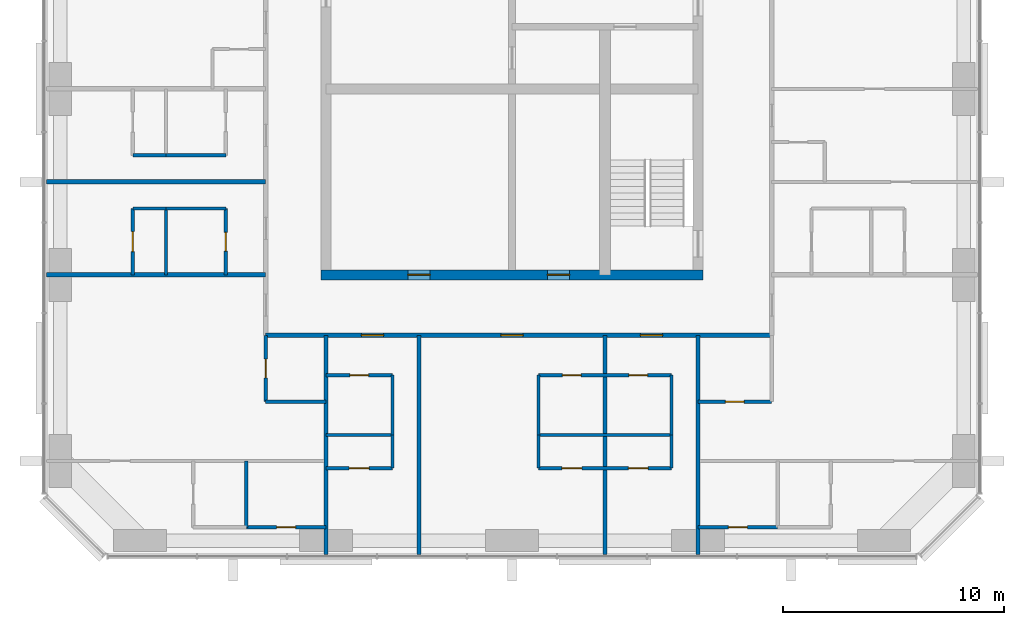
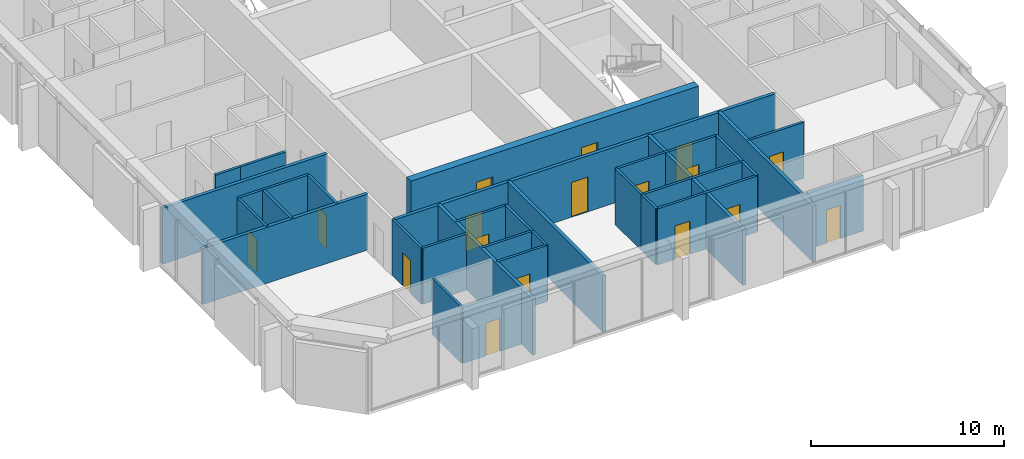
# One storey, part 7 of 12: 33 walls, 17 doors, 17 openings.
"""IFC4 building model written with IfcOpenShell, lengths in metres."""

from ifc_helpers import new_model, si_unit, direction, frame, frame_2d, origin, place, context, subcontext, project, spatial, rectangle, extrude, material, layer, layer_set, type_object, element, fill, save


model = new_model("IFC4")

# Units and contexts
model_context = context("Model", 3, precision=1e-05, world=origin(), true_north=direction((0.0, 1.0)))
body_context = subcontext(model_context, "Body", "Model", "MODEL_VIEW")
ifc_project = project(units=[si_unit("LENGTHUNIT", "METRE"), si_unit("AREAUNIT", "SQUARE_METRE"), si_unit("VOLUMEUNIT", "CUBIC_METRE"), si_unit("PLANEANGLEUNIT", "RADIAN"), si_unit("MASSUNIT", "GRAM", prefix="KILO")], contexts=[model_context])

# Site, building, storey
site_placement = place(None, origin())
site = spatial("IfcSite", under=ifc_project, at=site_placement, CompositionType="ELEMENT")
building_placement = place(site_placement, origin())
building = spatial("IfcBuilding", under=site, at=building_placement, Name="Dunama Terrace Hotel", CompositionType="ELEMENT")
storey_placement = place(building_placement, frame((0.0, 0.0, 264.60009765625)))
storey = spatial("IfcBuildingStorey", under=building, at=storey_placement, Name="L68", CompositionType="ELEMENT", Elevation=264.60009765625)

# Wall, opening, door
ifc_material_1 = material(Name="Gypsum board partition", Category="masonry")
ifc_layer_1 = layer(ifc_material_1, 0.14990234375)
ifc_layer_set_1 = layer_set([ifc_layer_1], Name="Bathroom partition 150")
wall_type_1 = type_object("IfcWallType", Name="Bathroom partition 150", PredefinedType="PARTITIONING", material=ifc_layer_set_1)
wall_1_placement = place(storey_placement, frame((20.675048828125, 16.800048828125, 0.0), z_axis=(0.0, 0.0, 1.0), x_axis=(0.0, 1.0, 0.0)))
wall_1 = element("IfcWall", 1, at=wall_1_placement, inside=storey, type_object=wall_type_1, Name="Bathroom partition 150 L68", PredefinedType="PARTITIONING", context=body_context, shape_type="SweptSolid", body=[
    extrude(rectangle(XDim=3.0, YDim=0.14990234375, at=frame_2d((1.5, 0.0))), origin(), (0.0, 0.0, 1.0), 3.5498046875),
])
opening_1_placement = place(wall_1_placement, frame((1.074951171875, 0.0, 0.0)))
opening_1 = element("IfcOpeningElement", 2, at=opening_1_placement, cuts=wall_1, Name="Opening L68-70-038", PredefinedType="OPENING", context=body_context, shape_type="SweptSolid", body=[
    extrude(rectangle(XDim=0.85009765625, YDim=2.10009765625, at=frame_2d((0.425048828125, 1.050048828125))), frame((0.0, 0.0849609375, 0.0), z_axis=(0.0, -1.0, 0.0), x_axis=(1.0, 0.0, 0.0)), (0.0, 0.0, 1.0), 0.169921875),
])
ifc_material_2 = material(Name="Timber door with steel frame", Category="steel")
door_type_1 = type_object("IfcDoorType", Name="Bathroom door 850", OperationType="SINGLE_SWING_LEFT", PredefinedType="DOOR", material=ifc_material_2)
door_1_placement = place(opening_1_placement, origin())
door_1 = element("IfcDoor", 3, at=door_1_placement, inside=storey, type_object=door_type_1, Name="Door to en-suite bathroom L68-70-038, type D2", OperationType="SINGLE_SWING_LEFT", OverallHeight=2.10009765625, OverallWidth=0.85009765625, PredefinedType="DOOR", context=body_context, shape_type="SweptSolid", body=[
    extrude(rectangle(XDim=0.85009765625, YDim=2.10009765625, at=frame_2d((0.425048828125, 1.050048828125))), frame((0.0, 0.02490234375, 0.0), z_axis=(0.0, -1.0, 0.0), x_axis=(1.0, 0.0, 0.0)), (0.0, 0.0, 1.0), 0.050048828125),
])
fill(opening_1, door_1)

wall_2_placement = place(storey_placement, frame((22.47509765625, 11.074951171875, 0.0), z_axis=(0.0, 0.0, 1.0), x_axis=(0.0, 1.0, 0.0)))
wall_2 = element("IfcWall", 4, at=wall_2_placement, inside=storey, type_object=wall_type_1, Name="Bathroom partition 150 L68", PredefinedType="PARTITIONING", context=body_context, shape_type="SweptSolid", body=[
    extrude(rectangle(XDim=3.0, YDim=0.14990234375, at=frame_2d((1.5, 0.0))), origin(), (0.0, 0.0, 1.0), 3.5498046875),
])
opening_2_placement = place(wall_2_placement, frame((1.074951171875, 0.0, 0.0)))
opening_2 = element("IfcOpeningElement", 5, at=opening_2_placement, cuts=wall_2, Name="Opening L68-70-053", PredefinedType="OPENING", context=body_context, shape_type="SweptSolid", body=[
    extrude(rectangle(XDim=0.85009765625, YDim=2.10009765625, at=frame_2d((0.425048828125, 1.050048828125))), frame((0.0, 0.0849609375, 0.0), z_axis=(0.0, -1.0, 0.0), x_axis=(1.0, 0.0, 0.0)), (0.0, 0.0, 1.0), 0.169921875),
])
door_2_placement = place(opening_2_placement, frame((0.85009765625, 0.0, 0.0), z_axis=(0.0, 0.0, 1.0), x_axis=(-1.0, 0.0, 0.0)))
door_2 = element("IfcDoor", 6, at=door_2_placement, inside=storey, type_object=door_type_1, Name="Door to powder room L68-70-053, type D2", OperationType="SINGLE_SWING_LEFT", OverallHeight=2.10009765625, OverallWidth=0.85009765625, PredefinedType="DOOR", context=body_context, shape_type="SweptSolid", body=[
    extrude(rectangle(XDim=0.85009765625, YDim=2.10009765625, at=frame_2d((0.425048828125, 1.050048828125))), frame((0.0, 0.025146484375, 0.0), z_axis=(0.0, -1.0, 0.0), x_axis=(1.0, 0.0, 0.0)), (0.0, 0.0, 1.0), 0.050048828125),
])
fill(opening_2, door_2)

# Walls
for number, where, z_axis, x_axis, name in (
    (7, (28.199951171875, 9.574951171875, 0.0), (0.0, 0.0, 1.0), (0.0, 1.0, 0.0), "Bathroom partition 150 L68"),
    (8, (34.800048828125, 9.574951171875, 0.0), (0.0, 0.0, 1.0), (0.0, 1.0, 0.0), "Bathroom partition 150 L68"),
    (9, (40.800048828125, 9.574951171875, 0.0), (0.0, 0.0, 1.0), (0.0, 1.0, 0.0), "Bathroom partition 150 L68"),
):
    element("IfcWall", number, at=place(storey_placement, frame(where, z_axis=z_axis, x_axis=x_axis)), inside=storey, type_object=wall_type_1, Name=name, PredefinedType="PARTITIONING", context=body_context, shape_type="SweptSolid", body=[
        extrude(rectangle(XDim=2.699951171875, YDim=0.14990234375, at=frame_2d((1.35009765625, 0.0))), origin(), (0.0, 0.0, 1.0), 3.5498046875),
    ])

# Wall, opening, door
wall_3_placement = place(storey_placement, frame((21.60009765625, 5.39990234375, 0.0), z_axis=(0.0, 0.0, 1.0), x_axis=(1.0, 0.0, 0.0)))
wall_3 = element("IfcWall", 10, at=wall_3_placement, inside=storey, type_object=wall_type_1, Name="Bathroom partition 150 L68", PredefinedType="PARTITIONING", context=body_context, shape_type="SweptSolid", body=[
    extrude(rectangle(XDim=3.599853515625, YDim=0.14990234375, at=frame_2d((1.7998046875, 0.0))), origin(), (0.0, 0.0, 1.0), 3.5498046875),
])
opening_3_placement = place(wall_3_placement, frame((1.375, 0.0, 0.0)))
opening_3 = element("IfcOpeningElement", 11, at=opening_3_placement, cuts=wall_3, Name="Opening L68-70-055", PredefinedType="OPENING", context=body_context, shape_type="SweptSolid", body=[
    extrude(rectangle(XDim=0.85009765625, YDim=2.10009765625, at=frame_2d((0.425048828125, 1.050048828125))), frame((0.0, 0.0849609375, 0.0), z_axis=(0.0, -1.0, 0.0), x_axis=(1.0, 0.0, 0.0)), (0.0, 0.0, 1.0), 0.169921875),
])
door_3_placement = place(opening_3_placement, origin())
door_3 = element("IfcDoor", 12, at=door_3_placement, inside=storey, type_object=door_type_1, Name="Door to en-suite bathroom L68-70-055, type D2", OperationType="SINGLE_SWING_RIGHT", OverallHeight=2.10009765625, OverallWidth=0.85009765625, PredefinedType="DOOR", context=body_context, shape_type="SweptSolid", body=[
    extrude(rectangle(XDim=0.85009765625, YDim=2.10009765625, at=frame_2d((0.425048828125, 1.050048828125))), frame((0.0, 0.02490234375, 0.0), z_axis=(0.0, -1.0, 0.0), x_axis=(1.0, 0.0, 0.0)), (0.0, 0.0, 1.0), 0.050048828125),
])
fill(opening_3, door_3)

wall_4_placement = place(storey_placement, frame((42.0, 5.39990234375, 0.0), z_axis=(0.0, 0.0, 1.0), x_axis=(1.0, 0.0, 0.0)))
wall_4 = element("IfcWall", 13, at=wall_4_placement, inside=storey, type_object=wall_type_1, Name="Bathroom partition 150 L68", PredefinedType="PARTITIONING", context=body_context, shape_type="SweptSolid", body=[
    extrude(rectangle(XDim=3.60009765625, YDim=0.14990234375, at=frame_2d((1.800048828125, 0.0))), origin(), (0.0, 0.0, 1.0), 3.5498046875),
])
opening_4_placement = place(wall_4_placement, frame((1.375, 0.0, 0.0)))
opening_4 = element("IfcOpeningElement", 14, at=opening_4_placement, cuts=wall_4, Name="Opening L68-70-060", PredefinedType="OPENING", context=body_context, shape_type="SweptSolid", body=[
    extrude(rectangle(XDim=0.85009765625, YDim=2.10009765625, at=frame_2d((0.425048828125, 1.050048828125))), frame((0.0, 0.0849609375, 0.0), z_axis=(0.0, -1.0, 0.0), x_axis=(1.0, 0.0, 0.0)), (0.0, 0.0, 1.0), 0.169921875),
])
door_4_placement = place(opening_4_placement, origin())
door_4 = element("IfcDoor", 15, at=door_4_placement, inside=storey, type_object=door_type_1, Name="Door to en-suite bathroom L68-70-060, type D2", OperationType="SINGLE_SWING_LEFT", OverallHeight=2.10009765625, OverallWidth=0.85009765625, PredefinedType="DOOR", context=body_context, shape_type="SweptSolid", body=[
    extrude(rectangle(XDim=0.85009765625, YDim=2.10009765625, at=frame_2d((0.425048828125, 1.050048828125))), frame((0.0, 0.02490234375, 0.0), z_axis=(0.0, -1.0, 0.0), x_axis=(1.0, 0.0, 0.0)), (0.0, 0.0, 1.0), 0.050048828125),
])
fill(opening_4, door_4)

# Wall
wall_5_placement = place(storey_placement, frame((22.47509765625, 11.074951171875, 0.0), z_axis=(0.0, 0.0, 1.0), x_axis=(1.0, 0.0, 0.0)))
element("IfcWall", 16, at=wall_5_placement, inside=storey, type_object=wall_type_1, Name="Bathroom partition 150 L68", PredefinedType="PARTITIONING", context=body_context, shape_type="SweptSolid", body=[
    extrude(rectangle(XDim=2.724853515625, YDim=0.14990234375, at=frame_2d((1.3623046875, 0.0))), origin(), (0.0, 0.0, 1.0), 3.5498046875),
])

# Wall, opening, door
wall_6_placement = place(storey_placement, frame((42.0, 11.074951171875, 0.0), z_axis=(0.0, 0.0, 1.0), x_axis=(1.0, 0.0, 0.0)))
wall_6 = element("IfcWall", 17, at=wall_6_placement, inside=storey, type_object=wall_type_1, Name="Bathroom partition 150 L68", PredefinedType="PARTITIONING", context=body_context, shape_type="SweptSolid", body=[
    extrude(rectangle(XDim=3.324951171875, YDim=0.14990234375, at=frame_2d((1.66259765625, 0.0))), origin(), (0.0, 0.0, 1.0), 3.5498046875),
])
opening_5_placement = place(wall_6_placement, frame((1.238037109375, 0.0, 0.0)))
opening_5 = element("IfcOpeningElement", 18, at=opening_5_placement, cuts=wall_6, Name="Opening L68-70-058", PredefinedType="OPENING", context=body_context, shape_type="SweptSolid", body=[
    extrude(rectangle(XDim=0.85009765625, YDim=2.10009765625, at=frame_2d((0.425048828125, 1.050048828125))), frame((0.0, 0.0849609375, 0.0), z_axis=(0.0, -1.0, 0.0), x_axis=(1.0, 0.0, 0.0)), (0.0, 0.0, 1.0), 0.169921875),
])
door_5_placement = place(opening_5_placement, origin())
door_5 = element("IfcDoor", 19, at=door_5_placement, inside=storey, type_object=door_type_1, Name="Door to powder room L68-70-058, type D2", OperationType="SINGLE_SWING_LEFT", OverallHeight=2.10009765625, OverallWidth=0.85009765625, PredefinedType="DOOR", context=body_context, shape_type="SweptSolid", body=[
    extrude(rectangle(XDim=0.85009765625, YDim=2.10009765625, at=frame_2d((0.425048828125, 1.050048828125))), frame((0.0, 0.02490234375, 0.0), z_axis=(0.0, -1.0, 0.0), x_axis=(1.0, 0.0, 0.0)), (0.0, 0.0, 1.0), 0.050048828125),
])
fill(opening_5, door_5)

wall_7_placement = place(storey_placement, frame((25.199951171875, 12.27490234375, 0.0), z_axis=(0.0, 0.0, 1.0), x_axis=(1.0, 0.0, 0.0)))
wall_7 = element("IfcWall", 20, at=wall_7_placement, inside=storey, type_object=wall_type_1, Name="Bathroom partition 150 L68", PredefinedType="PARTITIONING", context=body_context, shape_type="SweptSolid", body=[
    extrude(rectangle(XDim=3.0, YDim=0.14990234375, at=frame_2d((1.5, 0.0))), origin(), (0.0, 0.0, 1.0), 3.5498046875),
])
opening_6_placement = place(wall_7_placement, frame((1.074951171875, 0.0, 0.0)))
opening_6 = element("IfcOpeningElement", 21, at=opening_6_placement, cuts=wall_7, Name="Opening L68-70-008", PredefinedType="OPENING", context=body_context, shape_type="SweptSolid", body=[
    extrude(rectangle(XDim=0.85009765625, YDim=2.10009765625, at=frame_2d((0.425048828125, 1.050048828125))), frame((0.0, 0.0849609375, 0.0), z_axis=(0.0, -1.0, 0.0), x_axis=(1.0, 0.0, 0.0)), (0.0, 0.0, 1.0), 0.169921875),
])
door_6_placement = place(opening_6_placement, frame((0.85009765625, 0.0, 0.0), z_axis=(0.0, 0.0, 1.0), x_axis=(-1.0, 0.0, 0.0)))
door_6 = element("IfcDoor", 22, at=door_6_placement, inside=storey, type_object=door_type_1, Name="Door to en-suite bathroom L68-70-008, type D2", OperationType="SINGLE_SWING_RIGHT", OverallHeight=2.10009765625, OverallWidth=0.85009765625, PredefinedType="DOOR", context=body_context, shape_type="SweptSolid", body=[
    extrude(rectangle(XDim=0.85009765625, YDim=2.10009765625, at=frame_2d((0.425048828125, 1.050048828125))), frame((0.0, 0.025146484375, 0.0), z_axis=(0.0, -1.0, 0.0), x_axis=(1.0, 0.0, 0.0)), (0.0, 0.0, 1.0), 0.050048828125),
])
fill(opening_6, door_6)

# Wall, openings, doors
wall_8_placement = place(storey_placement, frame((34.800048828125, 12.27490234375, 0.0), z_axis=(0.0, 0.0, 1.0), x_axis=(1.0, 0.0, 0.0)))
wall_8 = element("IfcWall", 23, at=wall_8_placement, inside=storey, type_object=wall_type_1, Name="Bathroom partition 150 L68", PredefinedType="PARTITIONING", context=body_context, shape_type="SweptSolid", body=[
    extrude(rectangle(XDim=6.0, YDim=0.14990234375, at=frame_2d((3.0, 0.0))), origin(), (0.0, 0.0, 1.0), 3.5498046875),
])
opening_7_placement = place(wall_8_placement, frame((1.074951171875, 0.0, 0.0)))
opening_7 = element("IfcOpeningElement", 24, at=opening_7_placement, cuts=wall_8, Name="Opening L68-70-011", PredefinedType="OPENING", context=body_context, shape_type="SweptSolid", body=[
    extrude(rectangle(XDim=0.85009765625, YDim=2.10009765625, at=frame_2d((0.425048828125, 1.050048828125))), frame((0.0, 0.0849609375, 0.0), z_axis=(0.0, -1.0, 0.0), x_axis=(1.0, 0.0, 0.0)), (0.0, 0.0, 1.0), 0.169921875),
])
opening_8_placement = place(wall_8_placement, frame((4.074951171875, 0.0, 0.0)))
opening_8 = element("IfcOpeningElement", 25, at=opening_8_placement, cuts=wall_8, Name="Opening L68-70-014", PredefinedType="OPENING", context=body_context, shape_type="SweptSolid", body=[
    extrude(rectangle(XDim=0.85009765625, YDim=2.10009765625, at=frame_2d((0.425048828125, 1.050048828125))), frame((0.0, 0.0849609375, 0.0), z_axis=(0.0, -1.0, 0.0), x_axis=(1.0, 0.0, 0.0)), (0.0, 0.0, 1.0), 0.169921875),
])
door_7_placement = place(opening_7_placement, frame((0.85009765625, 0.0, 0.0), z_axis=(0.0, 0.0, 1.0), x_axis=(-1.0, 0.0, 0.0)))
door_7 = element("IfcDoor", 26, at=door_7_placement, inside=storey, type_object=door_type_1, Name="Door to en-suite bathroom L68-70-011, type D2", OperationType="SINGLE_SWING_LEFT", OverallHeight=2.10009765625, OverallWidth=0.85009765625, PredefinedType="DOOR", context=body_context, shape_type="SweptSolid", body=[
    extrude(rectangle(XDim=0.85009765625, YDim=2.10009765625, at=frame_2d((0.425048828125, 1.050048828125))), frame((0.0, 0.025146484375, 0.0), z_axis=(0.0, -1.0, 0.0), x_axis=(1.0, 0.0, 0.0)), (0.0, 0.0, 1.0), 0.050048828125),
])
fill(opening_7, door_7)
door_8_placement = place(opening_8_placement, frame((0.85009765625, 0.0, 0.0), z_axis=(0.0, 0.0, 1.0), x_axis=(-1.0, 0.0, 0.0)))
door_8 = element("IfcDoor", 27, at=door_8_placement, inside=storey, type_object=door_type_1, Name="Door to en-suite bathroom L68-70-014, type D2", OperationType="SINGLE_SWING_RIGHT", OverallHeight=2.10009765625, OverallWidth=0.85009765625, PredefinedType="DOOR", context=body_context, shape_type="SweptSolid", body=[
    extrude(rectangle(XDim=0.85009765625, YDim=2.10009765625, at=frame_2d((0.425048828125, 1.050048828125))), frame((0.0, 0.025146484375, 0.0), z_axis=(0.0, -1.0, 0.0), x_axis=(1.0, 0.0, 0.0)), (0.0, 0.0, 1.0), 0.050048828125),
])
fill(opening_8, door_8)

# Walls
for number, where, z_axis, x_axis, name in (
    (28, (17.97509765625, 19.800048828125, 0.0), (0.0, 0.0, 1.0), (1.0, 0.0, 0.0), "Bathroom partition 150 L68"),
    (29, (17.97509765625, 22.199951171875, 0.0), (0.0, 0.0, 1.0), (1.0, 0.0, 0.0), "Bathroom partition 150 L68"),
):
    element("IfcWall", number, at=place(storey_placement, frame(where, z_axis=z_axis, x_axis=x_axis)), inside=storey, type_object=wall_type_1, Name=name, PredefinedType="PARTITIONING", context=body_context, shape_type="SweptSolid", body=[
        extrude(rectangle(XDim=2.699951171875, YDim=0.14990234375, at=frame_2d((1.35009765625, 0.0))), origin(), (0.0, 0.0, 1.0), 3.5498046875),
    ])

# Wall, openings, doors
ifc_material_3 = material(Name="Concrete C50/60", Category="concrete")
ifc_layer_2 = layer(ifc_material_3, 0.449951171875)
ifc_layer_set_2 = layer_set([ifc_layer_2], Name="Core wall 450")
wall_type_2 = type_object("IfcWallType", Name="Core wall 450", PredefinedType="SHEAR", material=ifc_layer_set_2)
wall_9_placement = place(storey_placement, frame((24.97509765625, 16.800048828125, -0.35009765625), z_axis=(0.0, 0.0, 1.0), x_axis=(1.0, 0.0, 0.0)))
wall_9 = element("IfcWall", 30, at=wall_9_placement, inside=storey, type_object=wall_type_2, Name="Core wall south L68", PredefinedType="SHEAR", context=body_context, shape_type="SweptSolid", body=[
    extrude(rectangle(XDim=17.25, YDim=0.449951171875, at=frame_2d((8.625, 0.0))), origin(), (0.0, 0.0, 1.0), 3.89990234375),
])
opening_9_placement = place(wall_9_placement, frame((3.925048828125, 0.0, 0.35009765625)))
opening_9 = element("IfcOpeningElement", 31, at=opening_9_placement, cuts=wall_9, Name="Opening L68-70-078", PredefinedType="OPENING", context=body_context, shape_type="SweptSolid", body=[
    extrude(rectangle(XDim=1.0, YDim=2.10009765625, at=frame_2d((0.5, 1.050048828125))), frame((0.0, 0.23486328125, 0.0), z_axis=(0.0, -1.0, 0.0), x_axis=(1.0, 0.0, 0.0)), (0.0, 0.0, 1.0), 0.469970703125),
])
opening_10_placement = place(wall_9_placement, frame((10.22509765625, 0.0, 0.35009765625)))
opening_10 = element("IfcOpeningElement", 32, at=opening_10_placement, cuts=wall_9, Name="Opening L68-70-079", PredefinedType="OPENING", context=body_context, shape_type="SweptSolid", body=[
    extrude(rectangle(XDim=1.0, YDim=2.10009765625, at=frame_2d((0.5, 1.050048828125))), frame((0.0, 0.23486328125, 0.0), z_axis=(0.0, -1.0, 0.0), x_axis=(1.0, 0.0, 0.0)), (0.0, 0.0, 1.0), 0.469970703125),
])
ifc_material_4 = material(Name="Timber door with steel frame", Category="steel")
door_type_2 = type_object("IfcDoorType", Name="Service door 1000", OperationType="SINGLE_SWING_LEFT", PredefinedType="DOOR", material=ifc_material_4)
door_9_placement = place(opening_9_placement, origin())
door_9 = element("IfcDoor", 33, at=door_9_placement, inside=storey, type_object=door_type_2, Name="Door to corridor air handling room L68-70-078, type D7", OperationType="SINGLE_SWING_LEFT", OverallHeight=2.10009765625, OverallWidth=1.0, PredefinedType="DOOR", context=body_context, shape_type="SweptSolid", body=[
    extrude(rectangle(XDim=1.0, YDim=2.10009765625, at=frame_2d((0.5, 1.050048828125))), frame((0.0, 0.02490234375, 0.0), z_axis=(0.0, -1.0, 0.0), x_axis=(1.0, 0.0, 0.0)), (0.0, 0.0, 1.0), 0.050048828125),
])
fill(opening_9, door_9)
door_10_placement = place(opening_10_placement, origin())
door_10 = element("IfcDoor", 34, at=door_10_placement, inside=storey, type_object=door_type_2, Name="Door to water riser room L68-70-079, type D7", OperationType="SINGLE_SWING_RIGHT", OverallHeight=2.10009765625, OverallWidth=1.0, PredefinedType="DOOR", context=body_context, shape_type="SweptSolid", body=[
    extrude(rectangle(XDim=1.0, YDim=2.10009765625, at=frame_2d((0.5, 1.050048828125))), frame((0.0, 0.02490234375, 0.0), z_axis=(0.0, -1.0, 0.0), x_axis=(1.0, 0.0, 0.0)), (0.0, 0.0, 1.0), 0.050048828125),
])
fill(opening_10, door_10)

ifc_material_5 = material(Name="Concrete blockwork", Category="masonry")
ifc_layer_3 = layer(ifc_material_5, 0.199951171875)
ifc_layer_set_3 = layer_set([ifc_layer_3], Name="Corridor partition 200")
wall_type_3 = type_object("IfcWallType", Name="Corridor partition 200", PredefinedType="PARTITIONING", material=ifc_layer_set_3)
wall_10_placement = place(storey_placement, frame((45.324951171875, 14.074951171875, 0.0), z_axis=(0.0, 0.0, 1.0), x_axis=(-1.0, 0.0, 0.0)))
wall_10 = element("IfcWall", 35, at=wall_10_placement, inside=storey, type_object=wall_type_3, Name="Corridor partition 200 L68", PredefinedType="PARTITIONING", context=body_context, shape_type="SweptSolid", body=[
    extrude(rectangle(XDim=22.849853515625, YDim=0.199951171875, at=frame_2d((11.4248046875, 0.0))), origin(), (0.0, 0.0, 1.0), 3.5498046875),
])
opening_11_placement = place(wall_10_placement, frame((17.52490234375, 0.0, 0.0)))
opening_11 = element("IfcOpeningElement", 36, at=opening_11_placement, cuts=wall_10, Name="Opening L68-70-007", PredefinedType="OPENING", context=body_context, shape_type="SweptSolid", body=[
    extrude(rectangle(XDim=1.0, YDim=2.199951171875, at=frame_2d((0.5, 1.10009765625))), frame((0.0, 0.10986328125, 0.0), z_axis=(0.0, -1.0, 0.0), x_axis=(1.0, 0.0, 0.0)), (0.0, 0.0, 1.0), 0.219970703125),
])
opening_12_placement = place(wall_10_placement, frame((11.22509765625, 0.0, 0.0)))
opening_12 = element("IfcOpeningElement", 37, at=opening_12_placement, cuts=wall_10, Name="Opening L68-70-010", PredefinedType="OPENING", context=body_context, shape_type="SweptSolid", body=[
    extrude(rectangle(XDim=1.0, YDim=2.199951171875, at=frame_2d((0.5, 1.10009765625))), frame((0.0, 0.10986328125, 0.0), z_axis=(0.0, -1.0, 0.0), x_axis=(1.0, 0.0, 0.0)), (0.0, 0.0, 1.0), 0.219970703125),
])
opening_13_placement = place(wall_10_placement, frame((4.925048828125, 0.0, 0.0)))
opening_13 = element("IfcOpeningElement", 38, at=opening_13_placement, cuts=wall_10, Name="Opening L68-70-013", PredefinedType="OPENING", context=body_context, shape_type="SweptSolid", body=[
    extrude(rectangle(XDim=1.0, YDim=2.199951171875, at=frame_2d((0.5, 1.10009765625))), frame((0.0, 0.10986328125, 0.0), z_axis=(0.0, -1.0, 0.0), x_axis=(1.0, 0.0, 0.0)), (0.0, 0.0, 1.0), 0.219970703125),
])
ifc_material_6 = material(Name="Timber door with steel frame", Category="steel")
door_type_3 = type_object("IfcDoorType", Name="Guest room door 1000", OperationType="SINGLE_SWING_LEFT", PredefinedType="DOOR", material=ifc_material_6)
door_11_placement = place(opening_11_placement, origin())
door_11 = element("IfcDoor", 39, at=door_11_placement, inside=storey, type_object=door_type_3, Name="Door to studio suite L68-70-007, type D1", OperationType="SINGLE_SWING_LEFT", OverallHeight=2.199951171875, OverallWidth=1.0, PredefinedType="DOOR", context=body_context, shape_type="SweptSolid", body=[
    extrude(rectangle(XDim=1.0, YDim=2.199951171875, at=frame_2d((0.5, 1.10009765625))), frame((0.0, 0.02490234375, 0.0), z_axis=(0.0, -1.0, 0.0), x_axis=(1.0, 0.0, 0.0)), (0.0, 0.0, 1.0), 0.050048828125),
])
fill(opening_11, door_11)
door_12_placement = place(opening_12_placement, origin())
door_12 = element("IfcDoor", 40, at=door_12_placement, inside=storey, type_object=door_type_3, Name="Door to junior suite L68-70-010, type D1", OperationType="SINGLE_SWING_LEFT", OverallHeight=2.199951171875, OverallWidth=1.0, PredefinedType="DOOR", context=body_context, shape_type="SweptSolid", body=[
    extrude(rectangle(XDim=1.0, YDim=2.199951171875, at=frame_2d((0.5, 1.10009765625))), frame((0.0, 0.02490234375, 0.0), z_axis=(0.0, -1.0, 0.0), x_axis=(1.0, 0.0, 0.0)), (0.0, 0.0, 1.0), 0.050048828125),
])
fill(opening_12, door_12)
door_13_placement = place(opening_13_placement, origin())
door_13 = element("IfcDoor", 41, at=door_13_placement, inside=storey, type_object=door_type_3, Name="Door to studio suite L68-70-013, type D1", OperationType="SINGLE_SWING_LEFT", OverallHeight=2.199951171875, OverallWidth=1.0, PredefinedType="DOOR", context=body_context, shape_type="SweptSolid", body=[
    extrude(rectangle(XDim=1.0, YDim=2.199951171875, at=frame_2d((0.5, 1.10009765625))), frame((0.0, 0.02490234375, 0.0), z_axis=(0.0, -1.0, 0.0), x_axis=(1.0, 0.0, 0.0)), (0.0, 0.0, 1.0), 0.050048828125),
])
fill(opening_13, door_13)

# Walls
ifc_material_7 = material(Name="Concrete blockwork", Category="masonry")
ifc_layer_4 = layer(ifc_material_7, 0.199951171875)
ifc_layer_set_4 = layer_set([ifc_layer_4], Name="Party wall 200")
wall_type_4 = type_object("IfcWallType", Name="Party wall 200", PredefinedType="PARTITIONING", material=ifc_layer_set_4)
for number, where, z_axis, x_axis, name in (
    (42, (25.199951171875, 4.181884765625, 0.0), (0.0, 0.0, 1.0), (0.0, 1.0, 0.0), "Party wall 200 L68"),
    (43, (29.39990234375, 4.181884765625, 0.0), (0.0, 0.0, 1.0), (0.0, 1.0, 0.0), "Party wall 200 L68"),
    (44, (37.800048828125, 4.181884765625, 0.0), (0.0, 0.0, 1.0), (0.0, 1.0, 0.0), "Party wall 200 L68"),
    (45, (42.0, 4.181884765625, 0.0), (0.0, 0.0, 1.0), (0.0, 1.0, 0.0), "Party wall 200 L68"),
    (46, (12.58203125, 16.800048828125, 0.0), (0.0, 0.0, 1.0), (1.0, 0.0, 0.0), "Party wall 200 L68"),
    (47, (12.58203125, 21.0, 0.0), (0.0, 0.0, 1.0), (1.0, 0.0, 0.0), "Party wall 200 L68"),
):
    element("IfcWall", number, at=place(storey_placement, frame(where, z_axis=z_axis, x_axis=x_axis)), inside=storey, type_object=wall_type_4, Name=name, PredefinedType="PARTITIONING", context=body_context, shape_type="SweptSolid", body=[
        extrude(rectangle(XDim=9.89306640625, YDim=0.199951171875, at=frame_2d((4.946533203125, 0.0))), origin(), (0.0, 0.0, 1.0), 3.5498046875),
    ])

# Wall, opening, door
ifc_material_8 = material(Name="Gypsum board partition", Category="masonry")
ifc_layer_5 = layer(ifc_material_8, 0.14990234375)
ifc_layer_set_5 = layer_set([ifc_layer_5], Name="Room partition 150")
wall_type_5 = type_object("IfcWallType", Name="Room partition 150", PredefinedType="PARTITIONING", material=ifc_layer_set_5)
wall_11_placement = place(storey_placement, frame((16.47509765625, 16.800048828125, 0.0), z_axis=(0.0, 0.0, 1.0), x_axis=(0.0, 1.0, 0.0)))
wall_11 = element("IfcWall", 48, at=wall_11_placement, inside=storey, type_object=wall_type_5, Name="Room partition 150 L68", PredefinedType="PARTITIONING", context=body_context, shape_type="SweptSolid", body=[
    extrude(rectangle(XDim=3.0, YDim=0.14990234375, at=frame_2d((1.5, 0.0))), origin(), (0.0, 0.0, 1.0), 3.5498046875),
])
opening_14_placement = place(wall_11_placement, frame((1.050048828125, 0.0, 0.0)))
opening_14 = element("IfcOpeningElement", 49, at=opening_14_placement, cuts=wall_11, Name="Opening L68-70-039", PredefinedType="OPENING", context=body_context, shape_type="SweptSolid", body=[
    extrude(rectangle(XDim=0.89990234375, YDim=2.10009765625, at=frame_2d((0.449951171875, 1.050048828125))), frame((0.0, 0.0849609375, 0.0), z_axis=(0.0, -1.0, 0.0), x_axis=(1.0, 0.0, 0.0)), (0.0, 0.0, 1.0), 0.169921875),
])
ifc_material_9 = material(Name="Timber door with steel frame", Category="steel")
door_type_4 = type_object("IfcDoorType", Name="Suite internal door 900", OperationType="SINGLE_SWING_LEFT", PredefinedType="DOOR", material=ifc_material_9)
door_14_placement = place(opening_14_placement, frame((0.89990234375, 0.0, 0.0), z_axis=(0.0, 0.0, 1.0), x_axis=(-1.0, 0.0, 0.0)))
door_14 = element("IfcDoor", 50, at=door_14_placement, inside=storey, type_object=door_type_4, Name="Door to walk-in wardrobe L68-70-039, type D16", OperationType="SINGLE_SWING_RIGHT", OverallHeight=2.10009765625, OverallWidth=0.89990234375, PredefinedType="DOOR", context=body_context, shape_type="SweptSolid", body=[
    extrude(rectangle(XDim=0.89990234375, YDim=2.10009765625, at=frame_2d((0.449951171875, 1.050048828125))), frame((0.0, 0.025146484375, 0.0), z_axis=(0.0, -1.0, 0.0), x_axis=(1.0, 0.0, 0.0)), (0.0, 0.0, 1.0), 0.050048828125),
])
fill(opening_14, door_14)

# Walls
for number, where, z_axis, x_axis, name in (
    (51, (17.97509765625, 16.800048828125, 0.0), (0.0, 0.0, 1.0), (0.0, 1.0, 0.0), "Room partition 150 L68"),
    (52, (21.60009765625, 5.39990234375, 0.0), (0.0, 0.0, 1.0), (0.0, 1.0, 0.0), "Room partition 150 L68"),
):
    element("IfcWall", number, at=place(storey_placement, frame(where, z_axis=z_axis, x_axis=x_axis)), inside=storey, type_object=wall_type_5, Name=name, PredefinedType="PARTITIONING", context=body_context, shape_type="SweptSolid", body=[
        extrude(rectangle(XDim=3.0, YDim=0.14990234375, at=frame_2d((1.5, 0.0))), origin(), (0.0, 0.0, 1.0), 3.5498046875),
    ])
for number, where, z_axis, x_axis, name in (
    (53, (28.199951171875, 8.074951171875, 0.0), (0.0, 0.0, 1.0), (0.0, 1.0, 0.0), "Room partition 150 L68"),
    (54, (34.800048828125, 8.074951171875, 0.0), (0.0, 0.0, 1.0), (0.0, 1.0, 0.0), "Room partition 150 L68"),
    (55, (40.800048828125, 8.074951171875, 0.0), (0.0, 0.0, 1.0), (0.0, 1.0, 0.0), "Room partition 150 L68"),
):
    element("IfcWall", number, at=place(storey_placement, frame(where, z_axis=z_axis, x_axis=x_axis)), inside=storey, type_object=wall_type_5, Name=name, PredefinedType="PARTITIONING", context=body_context, shape_type="SweptSolid", body=[
        extrude(rectangle(XDim=1.5, YDim=0.14990234375, at=frame_2d((0.75, 0.0))), origin(), (0.0, 0.0, 1.0), 3.5498046875),
    ])

# Wall, opening, door
wall_12_placement = place(storey_placement, frame((25.199951171875, 8.074951171875, 0.0), z_axis=(0.0, 0.0, 1.0), x_axis=(1.0, 0.0, 0.0)))
wall_12 = element("IfcWall", 56, at=wall_12_placement, inside=storey, type_object=wall_type_5, Name="Room partition 150 L68", PredefinedType="PARTITIONING", context=body_context, shape_type="SweptSolid", body=[
    extrude(rectangle(XDim=3.0, YDim=0.14990234375, at=frame_2d((1.5, 0.0))), origin(), (0.0, 0.0, 1.0), 3.5498046875),
])
opening_15_placement = place(wall_12_placement, frame((1.050048828125, 0.0, 0.0)))
opening_15 = element("IfcOpeningElement", 57, at=opening_15_placement, cuts=wall_12, Name="Opening L68-70-009", PredefinedType="OPENING", context=body_context, shape_type="SweptSolid", body=[
    extrude(rectangle(XDim=0.89990234375, YDim=2.10009765625, at=frame_2d((0.449951171875, 1.050048828125))), frame((0.0, 0.0849609375, 0.0), z_axis=(0.0, -1.0, 0.0), x_axis=(1.0, 0.0, 0.0)), (0.0, 0.0, 1.0), 0.169921875),
])
door_15_placement = place(opening_15_placement, origin())
door_15 = element("IfcDoor", 58, at=door_15_placement, inside=storey, type_object=door_type_4, Name="Door to walk-in wardrobe L68-70-009, type D16", OperationType="SINGLE_SWING_LEFT", OverallHeight=2.10009765625, OverallWidth=0.89990234375, PredefinedType="DOOR", context=body_context, shape_type="SweptSolid", body=[
    extrude(rectangle(XDim=0.89990234375, YDim=2.10009765625, at=frame_2d((0.449951171875, 1.050048828125))), frame((0.0, 0.02490234375, 0.0), z_axis=(0.0, -1.0, 0.0), x_axis=(1.0, 0.0, 0.0)), (0.0, 0.0, 1.0), 0.050048828125),
])
fill(opening_15, door_15)

# Wall, openings, doors
wall_13_placement = place(storey_placement, frame((34.800048828125, 8.074951171875, 0.0), z_axis=(0.0, 0.0, 1.0), x_axis=(1.0, 0.0, 0.0)))
wall_13 = element("IfcWall", 59, at=wall_13_placement, inside=storey, type_object=wall_type_5, Name="Room partition 150 L68", PredefinedType="PARTITIONING", context=body_context, shape_type="SweptSolid", body=[
    extrude(rectangle(XDim=6.0, YDim=0.14990234375, at=frame_2d((3.0, 0.0))), origin(), (0.0, 0.0, 1.0), 3.5498046875),
])
opening_16_placement = place(wall_13_placement, frame((1.050048828125, 0.0, 0.0)))
opening_16 = element("IfcOpeningElement", 60, at=opening_16_placement, cuts=wall_13, Name="Opening L68-70-012", PredefinedType="OPENING", context=body_context, shape_type="SweptSolid", body=[
    extrude(rectangle(XDim=0.89990234375, YDim=2.10009765625, at=frame_2d((0.449951171875, 1.050048828125))), frame((0.0, 0.0849609375, 0.0), z_axis=(0.0, -1.0, 0.0), x_axis=(1.0, 0.0, 0.0)), (0.0, 0.0, 1.0), 0.169921875),
])
opening_17_placement = place(wall_13_placement, frame((4.050048828125, 0.0, 0.0)))
opening_17 = element("IfcOpeningElement", 61, at=opening_17_placement, cuts=wall_13, Name="Opening L68-70-015", PredefinedType="OPENING", context=body_context, shape_type="SweptSolid", body=[
    extrude(rectangle(XDim=0.89990234375, YDim=2.10009765625, at=frame_2d((0.449951171875, 1.050048828125))), frame((0.0, 0.0849609375, 0.0), z_axis=(0.0, -1.0, 0.0), x_axis=(1.0, 0.0, 0.0)), (0.0, 0.0, 1.0), 0.169921875),
])
door_16_placement = place(opening_16_placement, origin())
door_16 = element("IfcDoor", 62, at=door_16_placement, inside=storey, type_object=door_type_4, Name="Door to walk-in wardrobe L68-70-012, type D16", OperationType="SINGLE_SWING_LEFT", OverallHeight=2.10009765625, OverallWidth=0.89990234375, PredefinedType="DOOR", context=body_context, shape_type="SweptSolid", body=[
    extrude(rectangle(XDim=0.89990234375, YDim=2.10009765625, at=frame_2d((0.449951171875, 1.050048828125))), frame((0.0, 0.02490234375, 0.0), z_axis=(0.0, -1.0, 0.0), x_axis=(1.0, 0.0, 0.0)), (0.0, 0.0, 1.0), 0.050048828125),
])
fill(opening_16, door_16)
door_17_placement = place(opening_17_placement, origin())
door_17 = element("IfcDoor", 63, at=door_17_placement, inside=storey, type_object=door_type_4, Name="Door to walk-in wardrobe L68-70-015, type D16", OperationType="SINGLE_SWING_LEFT", OverallHeight=2.10009765625, OverallWidth=0.89990234375, PredefinedType="DOOR", context=body_context, shape_type="SweptSolid", body=[
    extrude(rectangle(XDim=0.89990234375, YDim=2.10009765625, at=frame_2d((0.449951171875, 1.050048828125))), frame((0.0, 0.02490234375, 0.0), z_axis=(0.0, -1.0, 0.0), x_axis=(1.0, 0.0, 0.0)), (0.0, 0.0, 1.0), 0.050048828125),
])
fill(opening_17, door_17)

# Walls
wall_14_placement = place(storey_placement, frame((25.199951171875, 9.574951171875, 0.0), z_axis=(0.0, 0.0, 1.0), x_axis=(1.0, 0.0, 0.0)))
element("IfcWall", 64, at=wall_14_placement, inside=storey, type_object=wall_type_5, Name="Room partition 150 L68", PredefinedType="PARTITIONING", context=body_context, shape_type="SweptSolid", body=[
    extrude(rectangle(XDim=3.0, YDim=0.14990234375, at=frame_2d((1.5, 0.0))), origin(), (0.0, 0.0, 1.0), 3.5498046875),
])
wall_15_placement = place(storey_placement, frame((34.800048828125, 9.574951171875, 0.0), z_axis=(0.0, 0.0, 1.0), x_axis=(1.0, 0.0, 0.0)))
element("IfcWall", 65, at=wall_15_placement, inside=storey, type_object=wall_type_5, Name="Room partition 150 L68", PredefinedType="PARTITIONING", context=body_context, shape_type="SweptSolid", body=[
    extrude(rectangle(XDim=6.0, YDim=0.14990234375, at=frame_2d((3.0, 0.0))), origin(), (0.0, 0.0, 1.0), 3.5498046875),
])
for number, where, z_axis, x_axis, name in (
    (66, (16.47509765625, 19.800048828125, 0.0), (0.0, 0.0, 1.0), (1.0, 0.0, 0.0), "Room partition 150 L68"),
    (67, (16.47509765625, 22.199951171875, 0.0), (0.0, 0.0, 1.0), (1.0, 0.0, 0.0), "Room partition 150 L68"),
):
    element("IfcWall", number, at=place(storey_placement, frame(where, z_axis=z_axis, x_axis=x_axis)), inside=storey, type_object=wall_type_5, Name=name, PredefinedType="PARTITIONING", context=body_context, shape_type="SweptSolid", body=[
        extrude(rectangle(XDim=1.5, YDim=0.14990234375, at=frame_2d((0.75, 0.0))), origin(), (0.0, 0.0, 1.0), 3.5498046875),
    ])

save(model, "model.ifc")
